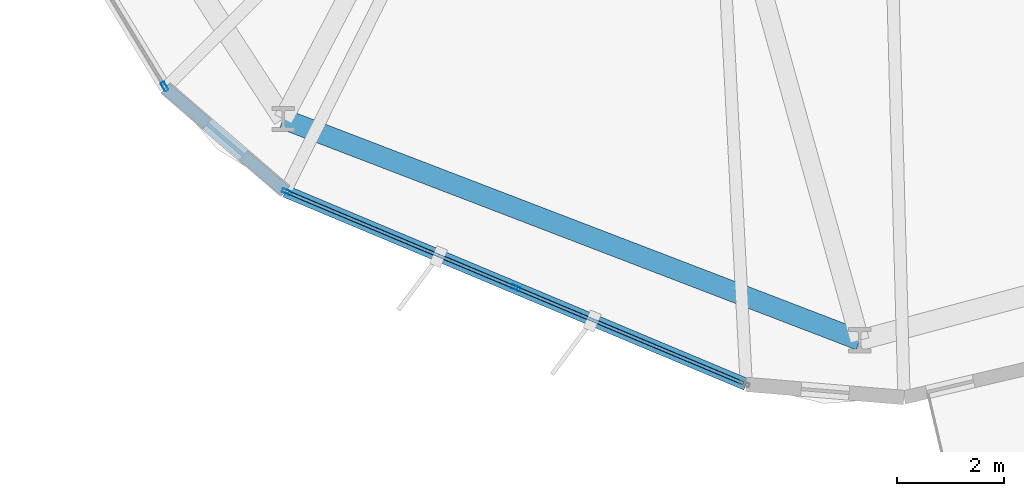
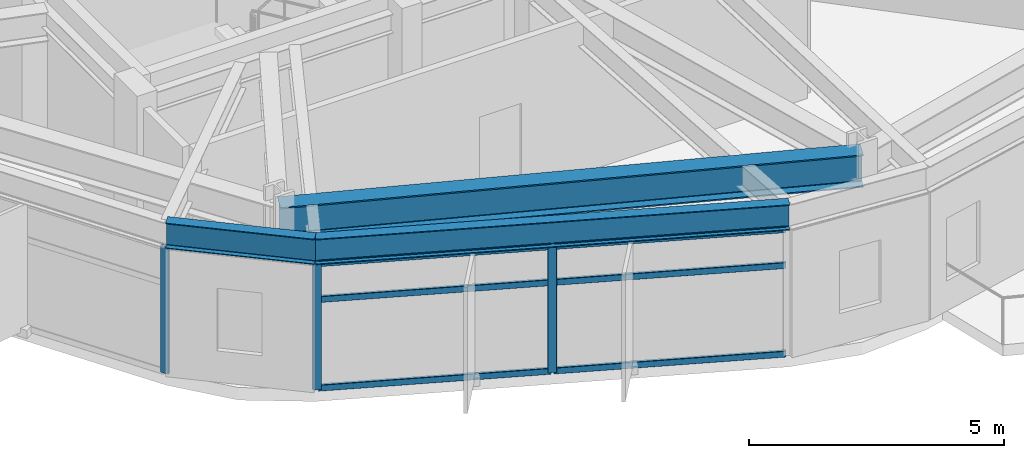
# One storey, part 2 of 21: 9 members, 3 beams, 2 elements without a shape of their own.
"""IFC4 building model written with IfcOpenShell, lengths in metres."""

from ifc_helpers import new_model, si_unit, direction, frame, origin, origin_2d, place, context, subcontext, project, spatial, hollow_rectangle, i_section, extrude, material, layer, layer_set, material_profile, profile_set, type_object, element, aggregate, save


model = new_model("IFC4")

# Units and contexts
model_context = context("Model", 3, precision=1e-05, world=origin(), true_north=direction((0.0, 1.0)))
body_context = subcontext(model_context, "Body", "Model", "MODEL_VIEW")
ifc_project = project(units=[si_unit("LENGTHUNIT", "METRE"), si_unit("AREAUNIT", "SQUARE_METRE"), si_unit("VOLUMEUNIT", "CUBIC_METRE"), si_unit("PLANEANGLEUNIT", "RADIAN"), si_unit("MASSUNIT", "GRAM", prefix="KILO")], contexts=[model_context])

# Site, building, storey
site_placement = place(None, origin())
site = spatial("IfcSite", under=ifc_project, at=site_placement, CompositionType="ELEMENT")
building_placement = place(site_placement, origin())
building = spatial("IfcBuilding", under=site, at=building_placement, Name="Soratama Intermodal Tower", CompositionType="ELEMENT")
storey_placement = place(building_placement, frame((0.0, 0.0, 78.60009765625)))
storey = spatial("IfcBuildingStorey", under=building, at=storey_placement, Name="L18", CompositionType="ELEMENT", Elevation=78.60009765625)

# Beams
ifc_material_1 = material(Name="Structural steel ASTM A992 Grade 50", Category="steel")
ifc_material_profile_1 = material_profile(ifc_material_1, i_section(OverallWidth=0.382080078125, OverallDepth=0.779052734375, WebThickness=0.01806640625, FlangeThickness=0.030029296875, FilletRadius=0.01806640625, at=origin_2d()), Name="W30X191")
ifc_profile_set_1 = profile_set([ifc_material_profile_1], Name="Structural steel ASTM A992 Grade 50")
beam_type_1 = type_object("IfcBeamType", Name="BM-RING-W30X191", PredefinedType="BEAM", material=ifc_profile_set_1)
beam_1_placement = place(storey_placement, frame((33.218994140625, 10.451904296875, 3.2705078125), z_axis=(0.933584159632, -0.358358224246, 0.0), x_axis=(0.358358224246, 0.933584159632, 0.0)))
element("IfcBeam", 1, at=beam_1_placement, inside=storey, type_object=beam_type_1, Name="BM-L18-RING-07", PredefinedType="BEAM", context=body_context, shape_type="SweptSolid", body=[
    extrude(i_section(OverallWidth=0.382080078125, OverallDepth=0.779052734375, WebThickness=0.01806640625, FlangeThickness=0.030029296875, FilletRadius=0.01806640625, at=origin_2d()), origin(), (0.0, 0.0, 1.0), 11.5693359375),
])
ifc_material_2 = material(Name="Structural steel ASTM A992 Grade 50", Category="steel")
ifc_material_profile_2 = material_profile(ifc_material_2, i_section(OverallWidth=0.22900390625, OverallDepth=0.612060546875, WebThickness=0.011962890625, FlangeThickness=0.01953125, FilletRadius=0.012939453125, at=origin_2d()), Name="W24X84")
ifc_profile_set_2 = profile_set([ifc_material_profile_2], Name="Structural steel ASTM A992 Grade 50")
beam_type_2 = type_object("IfcBeamType", Name="BM-SPN-W24X84", PredefinedType="SPANDREL", material=ifc_profile_set_2)
beam_2_placement = place(storey_placement, frame((31.010986328125, 11.032958984375, 3.35400390625), z_axis=(0.757569882997, -0.6527540673, 0.0), x_axis=(0.6527540673, 0.757569882997, 0.0)))
element("IfcBeam", 2, at=beam_2_placement, inside=storey, type_object=beam_type_2, Name="BS-L18-CRN06", PredefinedType="SPANDREL", context=body_context, shape_type="SweptSolid", body=[
    extrude(i_section(OverallWidth=0.22900390625, OverallDepth=0.612060546875, WebThickness=0.011962890625, FlangeThickness=0.01953125, FilletRadius=0.012939453125, at=origin_2d()), origin(), (0.0, 0.0, 1.0), 2.967529296875),
])
beam_3_placement = place(storey_placement, frame((33.259033203125, 9.095947265625, 3.35400390625), z_axis=(0.922301157168, -0.38647195951, 0.0), x_axis=(0.38647195951, 0.922301157168, 0.0)))
element("IfcBeam", 3, at=beam_3_placement, inside=storey, type_object=beam_type_2, Name="BS-L18-F07", PredefinedType="SPANDREL", context=body_context, shape_type="SweptSolid", body=[
    extrude(i_section(OverallWidth=0.22900390625, OverallDepth=0.612060546875, WebThickness=0.011962890625, FlangeThickness=0.01953125, FilletRadius=0.012939453125, at=origin_2d()), origin(), (0.0, 0.0, 1.0), 9.361328125),
])

# Curtain wall, member
ifc_material_3 = material(Name="Double-glazed aluminium curtain wall", Category="aluminium")
ifc_layer = layer(ifc_material_3, 0.159912109375)
ifc_layer_set = layer_set([ifc_layer], Name="Double-glazed aluminium curtain wall")
curtain_wall_type = type_object("IfcCurtainWallType", Name="CW-SYS-2", PredefinedType="NOTDEFINED", material=ifc_layer_set)
curtain_wall_1_placement = place(storey_placement, origin())
curtain_wall_1 = element("IfcCurtainWall", 4, at=curtain_wall_1_placement, inside=storey, type_object=curtain_wall_type, Name="L18 Faceted Curtain Wall F06", PredefinedType="NOTDEFINED")
ifc_material_4 = material(Name="Anodised aluminium AA 6063-T6", Category="aluminium")
ifc_material_profile_3 = material_profile(ifc_material_4, hollow_rectangle(XDim=0.074951171875, YDim=0.179931640625, WallThickness=0.006103515625, InnerFilletRadius=0.006103515625, OuterFilletRadius=0.011962890625, at=origin_2d()), Name="CWM180X75X6")
ifc_profile_set_3 = profile_set([ifc_material_profile_3], Name="Anodised aluminium AA 6063-T6")
member_type_1 = type_object("IfcMemberType", Name="MT-CWM-2", PredefinedType="MULLION", material=ifc_profile_set_3)
member_1_placement = place(storey_placement, frame((30.995849609375, 11.05810546875, 0.0), z_axis=(0.0, 0.0, 1.0), x_axis=(0.854820684585, 0.518923498414, 0.0)))
member_1 = element("IfcMember", 5, at=member_1_placement, type_object=member_type_1, Name="CW-2 mullion 3", PredefinedType="MULLION", context=body_context, shape_type="SweptSolid", body=[
    extrude(hollow_rectangle(XDim=0.074951171875, YDim=0.179931640625, WallThickness=0.006103515625, InnerFilletRadius=0.006103515625, OuterFilletRadius=0.011962890625, at=origin_2d()), origin(), (0.0, 0.0, 1.0), 3.038818359375),
])
aggregate(curtain_wall_1, [member_1])

# Curtain wall, members
curtain_wall_2_placement = place(storey_placement, origin())
curtain_wall_2 = element("IfcCurtainWall", 6, at=curtain_wall_2_placement, inside=storey, type_object=curtain_wall_type, Name="L18 Faceted Curtain Wall F07", PredefinedType="NOTDEFINED")
member_2_placement = place(storey_placement, frame((33.286865234375, 9.084716796875, 0.0), z_axis=(0.0, 0.0, 1.0), x_axis=(0.386551719837, 0.922267731134, 0.0)))
member_2 = element("IfcMember", 7, at=member_2_placement, type_object=member_type_1, Name="CW-2 mullion 1", PredefinedType="MULLION", context=body_context, shape_type="SweptSolid", body=[
    extrude(hollow_rectangle(XDim=0.074951171875, YDim=0.179931640625, WallThickness=0.006103515625, InnerFilletRadius=0.006103515625, OuterFilletRadius=0.011962890625, at=origin_2d()), origin(), (0.0, 0.0, 1.0), 3.038818359375),
])
member_3_placement = place(storey_placement, frame((37.575927734375, 7.287109375, 0.0), z_axis=(0.0, 0.0, 1.0), x_axis=(0.386551719837, 0.922267731134, 0.0)))
member_3 = element("IfcMember", 8, at=member_3_placement, type_object=member_type_1, Name="CW-2 mullion 2", PredefinedType="MULLION", context=body_context, shape_type="SweptSolid", body=[
    extrude(hollow_rectangle(XDim=0.074951171875, YDim=0.179931640625, WallThickness=0.006103515625, InnerFilletRadius=0.006103515625, OuterFilletRadius=0.011962890625, at=origin_2d()), origin(), (0.0, 0.0, 1.0), 3.038818359375),
])
ifc_material_5 = material(Name="Anodised aluminium AA 6063-T6", Category="aluminium")
ifc_material_profile_4 = material_profile(ifc_material_5, hollow_rectangle(XDim=0.06494140625, YDim=0.14990234375, WallThickness=0.0048828125, InnerFilletRadius=0.0048828125, OuterFilletRadius=0.010009765625, at=origin_2d()), Name="CWT150X65X5")
ifc_profile_set_4 = profile_set([ifc_material_profile_4], Name="Anodised aluminium AA 6063-T6")
member_type_2 = type_object("IfcMemberType", Name="TT-CWT-1", PredefinedType="USERDEFINED", material=ifc_profile_set_4)
member_4_placement = place(storey_placement, frame((33.314453125, 9.0732421875, 0.02978515625), z_axis=(0.922259832655, -0.386570564155, 0.0), x_axis=(0.386570564155, 0.922259832655, 0.0)))
member_4 = element("IfcMember", 9, at=member_4_placement, type_object=member_type_2, Name="CW-2 transom 1.1", ObjectType="TRANSOM", PredefinedType="USERDEFINED", context=body_context, shape_type="SweptSolid", body=[
    extrude(hollow_rectangle(XDim=0.06494140625, YDim=0.14990234375, WallThickness=0.0048828125, InnerFilletRadius=0.0048828125, OuterFilletRadius=0.010009765625, at=origin_2d()), origin(), (0.0, 0.0, 1.0), 4.5908203125),
])
member_5_placement = place(storey_placement, frame((33.314453125, 9.0732421875, 2.14990234375), z_axis=(0.922259832655, -0.386570564155, 0.0), x_axis=(0.386570564155, 0.922259832655, 0.0)))
member_5 = element("IfcMember", 10, at=member_5_placement, type_object=member_type_2, Name="CW-2 transom 1.2", ObjectType="TRANSOM", PredefinedType="USERDEFINED", context=body_context, shape_type="SweptSolid", body=[
    extrude(hollow_rectangle(XDim=0.06494140625, YDim=0.14990234375, WallThickness=0.0048828125, InnerFilletRadius=0.0048828125, OuterFilletRadius=0.010009765625, at=origin_2d()), origin(), (0.0, 0.0, 1.0), 4.5908203125),
])
member_6_placement = place(storey_placement, frame((33.314453125, 9.0732421875, 3.0087890625), z_axis=(0.922259832655, -0.386570564155, 0.0), x_axis=(0.386570564155, 0.922259832655, 0.0)))
member_6 = element("IfcMember", 11, at=member_6_placement, type_object=member_type_2, Name="CW-2 transom 1.3", ObjectType="TRANSOM", PredefinedType="USERDEFINED", context=body_context, shape_type="SweptSolid", body=[
    extrude(hollow_rectangle(XDim=0.06494140625, YDim=0.14990234375, WallThickness=0.0048828125, InnerFilletRadius=0.0048828125, OuterFilletRadius=0.010009765625, at=origin_2d()), origin(), (0.0, 0.0, 1.0), 4.5908203125),
])
member_7_placement = place(storey_placement, frame((37.603759765625, 7.275390625, 0.02978515625), z_axis=(0.922278791842, -0.386525329207, 0.0), x_axis=(0.386525329207, 0.922278791842, 0.0)))
member_7 = element("IfcMember", 12, at=member_7_placement, type_object=member_type_2, Name="CW-2 transom 2.1", ObjectType="TRANSOM", PredefinedType="USERDEFINED", context=body_context, shape_type="SweptSolid", body=[
    extrude(hollow_rectangle(XDim=0.06494140625, YDim=0.14990234375, WallThickness=0.0048828125, InnerFilletRadius=0.0048828125, OuterFilletRadius=0.010009765625, at=origin_2d()), origin(), (0.0, 0.0, 1.0), 4.590576171875),
])
member_8_placement = place(storey_placement, frame((37.603759765625, 7.275390625, 2.14990234375), z_axis=(0.922278791842, -0.386525329207, 0.0), x_axis=(0.386525329207, 0.922278791842, 0.0)))
member_8 = element("IfcMember", 13, at=member_8_placement, type_object=member_type_2, Name="CW-2 transom 2.2", ObjectType="TRANSOM", PredefinedType="USERDEFINED", context=body_context, shape_type="SweptSolid", body=[
    extrude(hollow_rectangle(XDim=0.06494140625, YDim=0.14990234375, WallThickness=0.0048828125, InnerFilletRadius=0.0048828125, OuterFilletRadius=0.010009765625, at=origin_2d()), origin(), (0.0, 0.0, 1.0), 4.590576171875),
])
member_9_placement = place(storey_placement, frame((37.603759765625, 7.275390625, 3.0087890625), z_axis=(0.922278791842, -0.386525329207, 0.0), x_axis=(0.386525329207, 0.922278791842, 0.0)))
member_9 = element("IfcMember", 14, at=member_9_placement, type_object=member_type_2, Name="CW-2 transom 2.3", ObjectType="TRANSOM", PredefinedType="USERDEFINED", context=body_context, shape_type="SweptSolid", body=[
    extrude(hollow_rectangle(XDim=0.06494140625, YDim=0.14990234375, WallThickness=0.0048828125, InnerFilletRadius=0.0048828125, OuterFilletRadius=0.010009765625, at=origin_2d()), origin(), (0.0, 0.0, 1.0), 4.590576171875),
])
aggregate(curtain_wall_2, [member_2, member_3, member_4, member_5, member_6, member_7, member_8, member_9])

save(model, "model.ifc")
